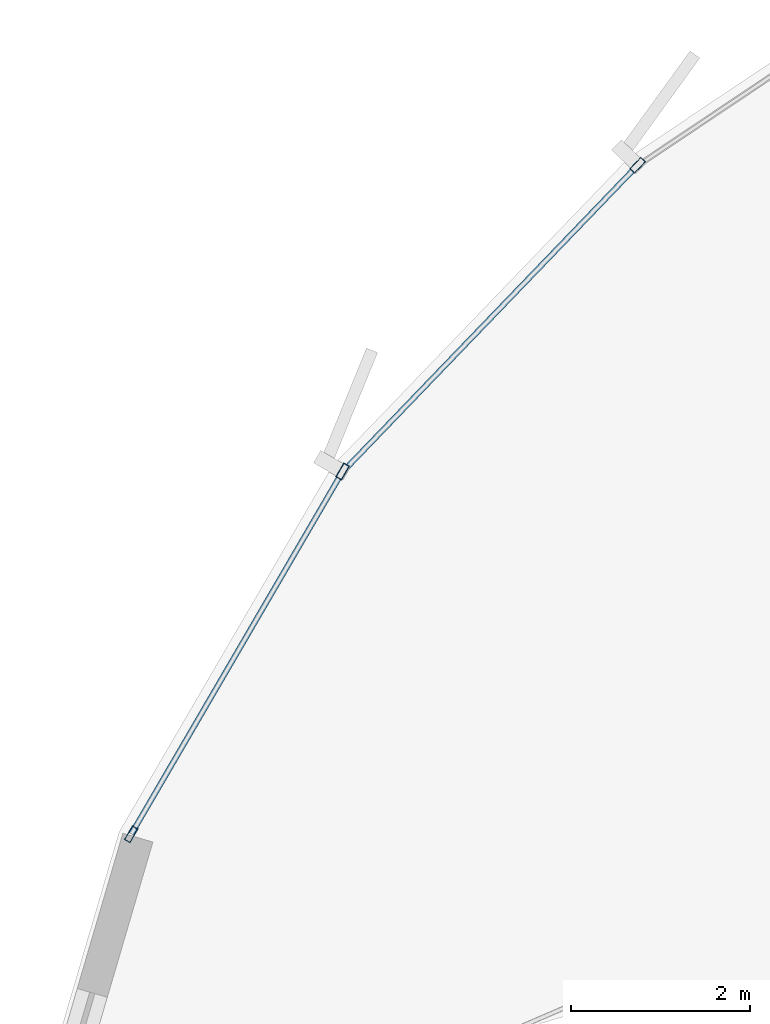
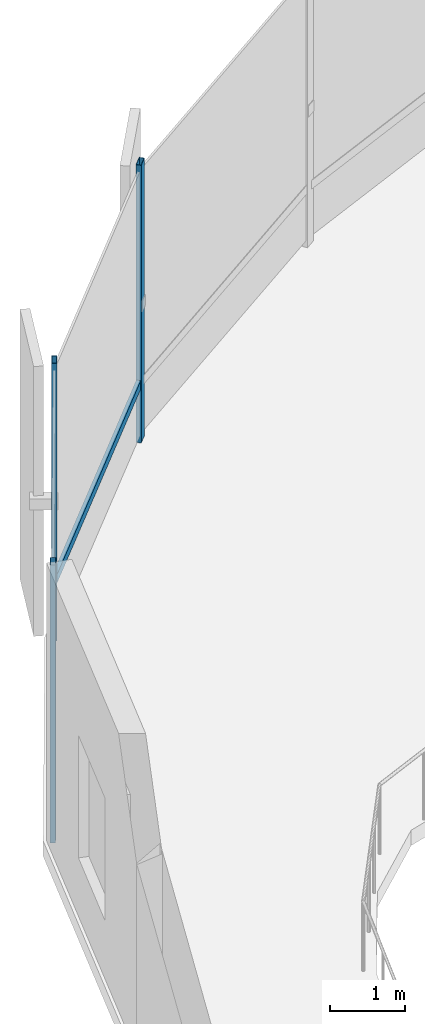
# One storey, part 10 of 33: 5 members, 1 element without a shape of its own.
"""IFC4 building model written with IfcOpenShell, lengths in metres."""

from ifc_helpers import new_model, si_unit, direction, frame, origin, origin_2d, place, context, subcontext, project, spatial, hollow_rectangle, extrude, source, transform, mapped, material, layer, layer_set, material_profile, profile_set, type_object, element, aggregate, save


model = new_model("IFC4")

# Units and contexts
model_context = context("Model", 3, precision=1e-05, world=origin(), true_north=direction((0.0, 1.0)))
body_context = subcontext(model_context, "Body", "Model", "MODEL_VIEW")
ifc_project = project(units=[si_unit("LENGTHUNIT", "METRE"), si_unit("AREAUNIT", "SQUARE_METRE"), si_unit("VOLUMEUNIT", "CUBIC_METRE"), si_unit("PLANEANGLEUNIT", "RADIAN"), si_unit("MASSUNIT", "GRAM", prefix="KILO"), si_unit("THERMODYNAMICTEMPERATUREUNIT", "KELVIN")], contexts=[model_context])

# Site, building, storey
site_placement = place(None, origin())
site = spatial("IfcSite", under=ifc_project, at=site_placement, CompositionType="ELEMENT")
building_placement = place(site_placement, origin())
building = spatial("IfcBuilding", under=site, at=building_placement, Name="Kethvar Cultural Tower", CompositionType="ELEMENT")
storey_placement = place(building_placement, frame((0.0, 0.0, 10.0)))
storey = spatial("IfcBuildingStorey", under=building, at=storey_placement, Name="L02", CompositionType="ELEMENT", Elevation=10.0)

# Curtain wall, members
ifc_material = material(Name="Aluminium 6063-T6", Category="aluminium")
ifc_layer = layer(ifc_material, 0.179931640625, Name="Aluminium 6063-T6", Category="aluminium")
ifc_layer_set = layer_set([ifc_layer], Name="Aluminium 6063-T6 (180 mm)")
curtain_wall_type = type_object("IfcCurtainWallType", Name="CW-SYS-01-POD", PredefinedType="NOTDEFINED", material=ifc_layer_set)
curtain_wall_placement = place(storey_placement, origin())
curtain_wall = element("IfcCurtainWall", 1, at=curtain_wall_placement, inside=storey, type_object=curtain_wall_type, Name="L02 Curtain Wall Run 03", PredefinedType="NOTDEFINED")
ifc_material_profile_1 = material_profile(ifc_material, hollow_rectangle(XDim=0.06005859375, YDim=0.139892578125, WallThickness=0.0048828125, at=origin_2d()), Name="Aluminium 6063-T6 — RHS140x60x5")
ifc_profile_set_1 = profile_set([ifc_material_profile_1], Name="Aluminium 6063-T6 — RHS140x60x5")
member_type_1 = type_object("IfcMemberType", Name="CW-SYS-01-POD-TRN", PredefinedType="USERDEFINED", material=ifc_profile_set_1)
shared_shape_1 = source(origin(), body_context, "Body", "SweptSolid", [
    extrude(hollow_rectangle(XDim=0.06005859375, YDim=0.139892578125, WallThickness=0.0048828125, at=origin_2d()), origin(), (0.0, 0.0, 1.0), 4.639892578125),
])
member_1_placement = place(storey_placement, frame((5.20068359375, 43.881591796875, 0.949951171875), z_axis=(-0.503504560489, -0.863992568004, 0.0), x_axis=(0.863992568004, -0.503504560489, 0.0)))
member_1 = element("IfcMember", 2, at=member_1_placement, type_object=member_type_1, Name="CW-L02-R03 Transom 4", ObjectType="TRANSOM", PredefinedType="USERDEFINED", context=body_context, shape_type="MappedRepresentation", body=[
    mapped(shared_shape_1, transform((0.0, 0.0, 0.0), scale=1.0)),
])
shared_shape_2 = source(origin(), body_context, "Body", "SweptSolid", [
    extrude(hollow_rectangle(XDim=0.06005859375, YDim=0.139892578125, WallThickness=0.0048828125, at=origin_2d()), origin(), (0.0, 0.0, 1.0), 4.6826171875),
])
member_2_placement = place(storey_placement, frame((8.4931640625, 47.31689453125, 0.949951171875), z_axis=(-0.693341040309, -0.72060960431, 0.0), x_axis=(0.72060960431, -0.693341040309, 0.0)))
member_2 = element("IfcMember", 3, at=member_2_placement, type_object=member_type_1, Name="CW-L02-R03 Transom 3", ObjectType="TRANSOM", PredefinedType="USERDEFINED", context=body_context, shape_type="MappedRepresentation", body=[
    mapped(shared_shape_2, transform((0.0, 0.0, 0.0), scale=1.0)),
])
ifc_material_profile_2 = material_profile(ifc_material, hollow_rectangle(XDim=0.074951171875, YDim=0.179931640625, WallThickness=0.006103515625, at=origin_2d()), Name="Aluminium 6063-T6 — RHS180x75x6")
ifc_profile_set_2 = profile_set([ifc_material_profile_2], Name="Aluminium 6063-T6 — RHS180x75x6")
member_type_2 = type_object("IfcMemberType", Name="CW-SYS-01-POD-MUL", PredefinedType="MULLION", material=ifc_profile_set_2)
shared_shape_3 = source(origin(), body_context, "Body", "SweptSolid", [
    extrude(hollow_rectangle(XDim=0.074951171875, YDim=0.179931640625, WallThickness=0.006103515625, at=origin_2d()), origin(), (0.0, 0.0, 1.0), 4.530029296875),
])
member_3_placement = place(storey_placement, frame((8.530517578125, 47.355712890625, 0.0), z_axis=(0.0, 0.0, 1.0), x_axis=(0.720611619661, -0.693338945689, 0.0)))
member_3 = element("IfcMember", 4, at=member_3_placement, type_object=member_type_2, Name="CW-L02-R03 Mullion 3", PredefinedType="MULLION", context=body_context, shape_type="MappedRepresentation", body=[
    mapped(shared_shape_3, transform((0.0, 0.0, 0.0), scale=1.0)),
])
member_4_placement = place(storey_placement, frame((5.227783203125, 43.92822265625, 0.0), z_axis=(0.0, 0.0, 1.0), x_axis=(0.863984939927, -0.503517649721, 0.0)))
member_4 = element("IfcMember", 5, at=member_4_placement, type_object=member_type_2, Name="CW-L02-R03 Mullion 4", PredefinedType="MULLION", context=body_context, shape_type="MappedRepresentation", body=[
    mapped(shared_shape_3, transform((0.0, 0.0, 0.0), scale=1.0)),
])
member_5_placement = place(storey_placement, frame((2.86181640625, 39.868408203125, 0.0), z_axis=(0.0, 0.0, 1.0), x_axis=(0.863984939927, -0.503517649721, 0.0)))
member_5 = element("IfcMember", 6, at=member_5_placement, type_object=member_type_2, Name="CW-L02-R03 Mullion 5", PredefinedType="MULLION", context=body_context, shape_type="MappedRepresentation", body=[
    mapped(shared_shape_3, transform((0.0, 0.0, 0.0), scale=1.0)),
])
aggregate(curtain_wall, [member_3, member_4, member_5, member_2, member_1])

save(model, "model.ifc")
